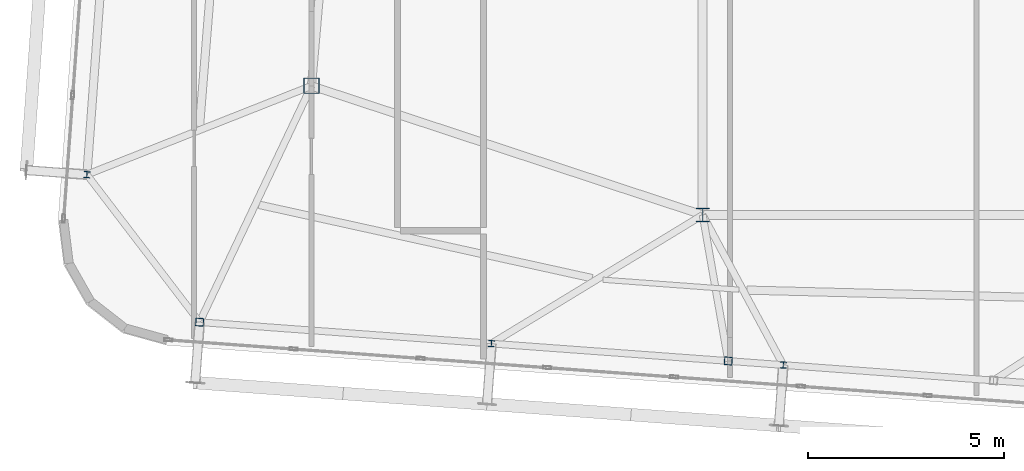
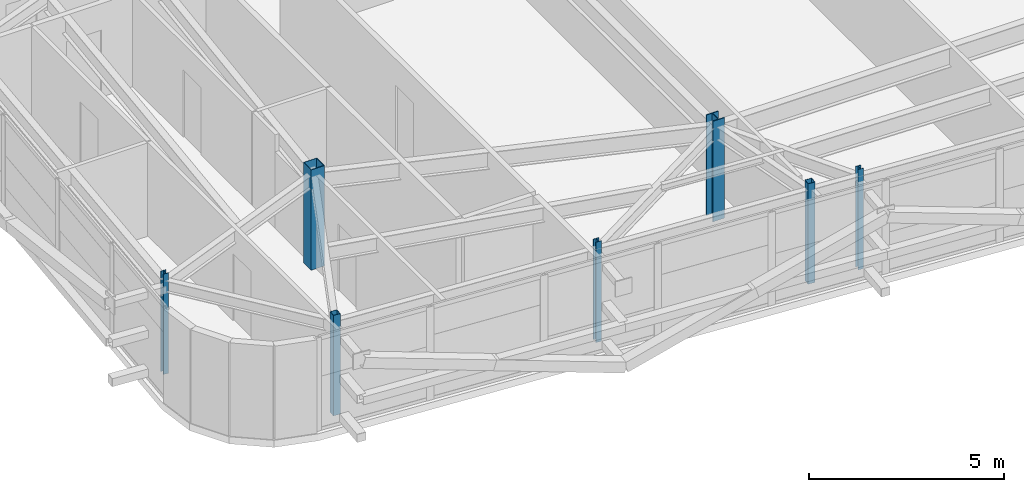
# One storey, part 1 of 42: 7 columns.
"""IFC4 building model written with IfcOpenShell, lengths in metres."""

from ifc_helpers import new_model, si_unit, direction, frame, origin, origin_2d, place, context, subcontext, project, spatial, hollow_rectangle, i_section, extrude, source, transform, mapped, material, material_profile, profile_set, type_object, element, save


model = new_model("IFC4")

# Units and contexts
model_context = context("Model", 3, precision=1e-05, world=origin(), true_north=direction((0.0, 1.0)))
body_context = subcontext(model_context, "Body", "Model", "MODEL_VIEW")
ifc_project = project(units=[si_unit("LENGTHUNIT", "METRE"), si_unit("AREAUNIT", "SQUARE_METRE"), si_unit("VOLUMEUNIT", "CUBIC_METRE"), si_unit("PLANEANGLEUNIT", "RADIAN"), si_unit("MASSUNIT", "GRAM", prefix="KILO")], contexts=[model_context])

# Site, building, storey
site_placement = place(None, origin())
site = spatial("IfcSite", under=ifc_project, at=site_placement, CompositionType="ELEMENT")
building_placement = place(site_placement, origin())
building = spatial("IfcBuilding", under=site, at=building_placement, Name="Taldren Reach Tower", CompositionType="ELEMENT")
storey_placement = place(building_placement, frame((0.0, 0.0, 220.85009765625)))
storey = spatial("IfcBuildingStorey", under=building, at=storey_placement, Name="L67", CompositionType="ELEMENT", Elevation=220.85009765625)

# Columns
ifc_material_1 = material(Name="Steel Gr 350 (350PLUS)", Category="steel")
ifc_material_profile_1 = material_profile(ifc_material_1, i_section(OverallWidth=0.35009765625, OverallDepth=0.35595703125, WebThickness=0.01806640625, FlangeThickness=0.028076171875, at=origin_2d()), Name="350WC197")
ifc_profile_set_1 = profile_set([ifc_material_profile_1], Name="Steel Gr 350 (350PLUS)")
column_type_1 = type_object("IfcColumnType", Name="COL-WC350", PredefinedType="COLUMN", material=ifc_profile_set_1)
shared_shape_1 = source(origin(), body_context, "Body", "SweptSolid", [
    extrude(i_section(OverallWidth=0.35009765625, OverallDepth=0.35595703125, WebThickness=0.01806640625, FlangeThickness=0.028076171875, at=origin_2d()), origin(), (0.0, 0.0, 1.0), 3.14990234375),
])
column_1_placement = place(storey_placement, frame((28.0, 9.199951171875, 0.0), z_axis=(0.0, 0.0, 1.0), x_axis=(1.0, 0.0, 0.0)))
element("IfcColumn", 1, at=column_1_placement, inside=storey, type_object=column_type_1, Name="Mega column MC-PJW L67", PredefinedType="COLUMN", context=body_context, shape_type="MappedRepresentation", body=[
    mapped(shared_shape_1, transform((0.0, 0.0, 0.0), scale=1.0)),
])
ifc_material_2 = material(Name="Steel Gr 450 (C450L0)", Category="steel")
ifc_material_profile_2 = material_profile(ifc_material_2, hollow_rectangle(XDim=0.39990234375, YDim=0.39990234375, WallThickness=0.01611328125, at=origin_2d()), Name="400x400x16.0SHS")
ifc_profile_set_2 = profile_set([ifc_material_profile_2], Name="Steel Gr 450 (C450L0)")
column_type_2 = type_object("IfcColumnType", Name="COL-SHS400", PredefinedType="COLUMN", material=ifc_profile_set_2)
shared_shape_2 = source(origin(), body_context, "Body", "SweptSolid", [
    extrude(hollow_rectangle(XDim=0.39990234375, YDim=0.39990234375, WallThickness=0.01611328125, at=origin_2d()), origin(), (0.0, 0.0, 1.0), 3.14990234375),
])
column_2_placement = place(storey_placement, frame((18.0, 12.5, 0.0), z_axis=(0.0, 0.0, 1.0), x_axis=(1.0, 0.0, 0.0)))
element("IfcColumn", 2, at=column_2_placement, inside=storey, type_object=column_type_2, Name="Mega column MC-SW L67", PredefinedType="COLUMN", context=body_context, shape_type="MappedRepresentation", body=[
    mapped(shared_shape_2, transform((0.0, 0.0, 0.0), scale=1.0)),
])
ifc_material_3 = material(Name="Steel Gr 350 (C350L0)", Category="steel")
ifc_material_profile_3 = material_profile(ifc_material_3, hollow_rectangle(XDim=0.199951171875, YDim=0.199951171875, WallThickness=0.009033203125, at=origin_2d()), Name="200x200x9.0SHS")
ifc_profile_set_3 = profile_set([ifc_material_profile_3], Name="Steel Gr 350 (C350L0)")
column_type_3 = type_object("IfcColumnType", Name="COL-SHS200", PredefinedType="COLUMN", material=ifc_profile_set_3)
shared_shape_3 = source(origin(), body_context, "Body", "SweptSolid", [
    extrude(hollow_rectangle(XDim=0.199951171875, YDim=0.199951171875, WallThickness=0.009033203125, at=origin_2d()), origin(), (0.0, 0.0, 1.0), 3.14990234375),
])
for number, where, z_axis, x_axis, name in (
    (3, (15.140625, 6.460205078125, 0.0), (0.0, 0.0, 1.0), (0.997314477224, -0.073238197128, 0.0), "Block B5 perimeter column S1 L67"),
    (4, (28.654296875, 5.4677734375, 0.0), (0.0, 0.0, 1.0), (0.997314477224, -0.073238197128, 0.0), "Block B5 perimeter column PJ1 L67"),
):
    element("IfcColumn", number, at=place(storey_placement, frame(where, z_axis=z_axis, x_axis=x_axis)), inside=storey, type_object=column_type_3, Name=name, PredefinedType="COLUMN", context=body_context, shape_type="MappedRepresentation", body=[
        mapped(shared_shape_3, transform((0.0, 0.0, 0.0), scale=1.0)),
    ])
ifc_material_profile_4 = material_profile(ifc_material_1, i_section(OverallWidth=0.154052734375, OverallDepth=0.162109375, WebThickness=0.008056640625, FlangeThickness=0.011474609375, at=origin_2d()), Name="150UC37.2")
ifc_profile_set_4 = profile_set([ifc_material_profile_4], Name="Steel Gr 350 (350PLUS)")
column_type_4 = type_object("IfcColumnType", Name="COL-UC150", PredefinedType="COLUMN", material=ifc_profile_set_4)
shared_shape_4 = source(origin(), body_context, "Body", "SweptSolid", [
    extrude(i_section(OverallWidth=0.154052734375, OverallDepth=0.162109375, WebThickness=0.008056640625, FlangeThickness=0.011474609375, at=origin_2d()), origin(), (0.0, 0.0, 1.0), 3.14990234375),
])
for number, where, z_axis, x_axis, name in (
    (5, (22.6005859375, 5.912353515625, 0.0), (0.0, 0.0, 1.0), (0.997314477224, -0.073238197128, 0.0), "Block B5 perimeter column S2 L67"),
    (6, (30.060546875, 5.364501953125, 0.0), (0.0, 0.0, 1.0), (0.997314477224, -0.073238197128, 0.0), "Block B5 perimeter column S3 L67"),
    (7, (12.259033203125, 10.2314453125, 0.0), (0.0, 0.0, 1.0), (0.997314477224, -0.073238197128, 0.0), "Block B5 perimeter column W1 L67"),
):
    element("IfcColumn", number, at=place(storey_placement, frame(where, z_axis=z_axis, x_axis=x_axis)), inside=storey, type_object=column_type_4, Name=name, PredefinedType="COLUMN", context=body_context, shape_type="MappedRepresentation", body=[
        mapped(shared_shape_4, transform((0.0, 0.0, 0.0), scale=1.0)),
    ])

save(model, "model.ifc")
